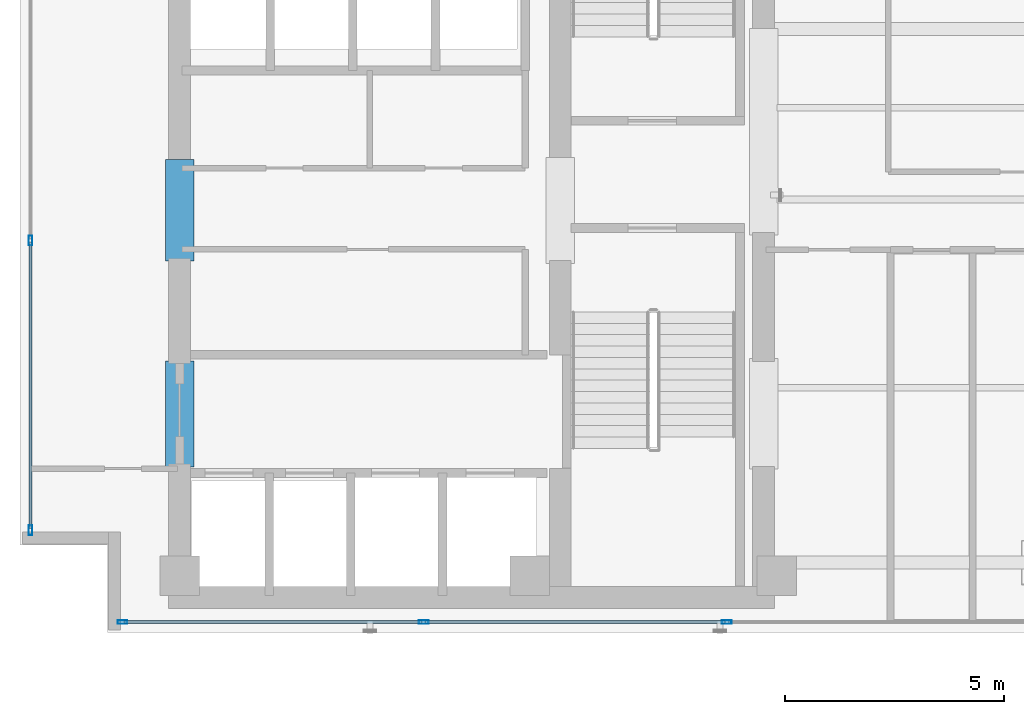
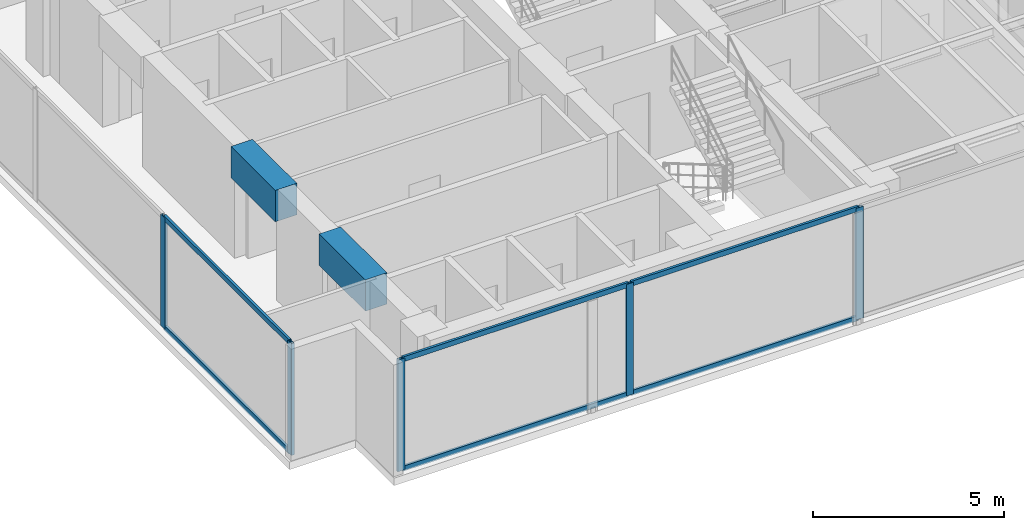
# One storey, part 2 of 22: 11 members, 2 beams, 2 elements without a shape of their own.
"""IFC4 building model written with IfcOpenShell, lengths in metres."""

from ifc_helpers import new_model, si_unit, direction, frame, origin, origin_with_axes, origin_2d, place, context, subcontext, project, spatial, rectangle, hollow_rectangle, extrude, source, transform, mapped, material, layer, layer_set, material_profile, profile_set, type_object, element, aggregate, save


model = new_model("IFC4")

# Units and contexts
model_context = context("Model", 3, precision=1e-05, world=origin(), true_north=direction((0.0, 1.0)))
body_context = subcontext(model_context, "Body", "Model", "MODEL_VIEW")
ifc_project = project(units=[si_unit("LENGTHUNIT", "METRE"), si_unit("AREAUNIT", "SQUARE_METRE"), si_unit("VOLUMEUNIT", "CUBIC_METRE"), si_unit("PLANEANGLEUNIT", "RADIAN"), si_unit("MASSUNIT", "GRAM", prefix="KILO")], contexts=[model_context])

# Site, building, storey
site_placement = place(None, origin())
site = spatial("IfcSite", under=ifc_project, at=site_placement, CompositionType="ELEMENT")
building_placement = place(site_placement, origin())
building = spatial("IfcBuilding", under=site, at=building_placement, Name="Kolvaren Waterfront Exchange", CompositionType="ELEMENT")
storey_placement = place(building_placement, frame((0.0, 0.0, 327.39990234375)))
storey = spatial("IfcBuildingStorey", under=building, at=storey_placement, Name="L84", CompositionType="ELEMENT", Elevation=327.39990234375)

# Beams
ifc_material_1 = material(Name="Concrete C60/75", Category="concrete")
ifc_material_profile_1 = material_profile(ifc_material_1, rectangle(XDim=0.64990234375, YDim=1.0, at=origin_2d()), Name="RC-CB-1000x650")
ifc_profile_set_1 = profile_set([ifc_material_profile_1], Name="Concrete C60/75")
beam_type = type_object("IfcBeamType", Name="STR-CB-1000", PredefinedType="SPANDREL", material=ifc_profile_set_1)
beam_1_placement = place(storey_placement, frame((7.449951171875, 7.389892578125, 3.06005859375), z_axis=(0.0, 1.0, 0.0), x_axis=(-1.0, 0.0, 0.0)))
element("IfcBeam", 1, at=beam_1_placement, inside=storey, type_object=beam_type, Name="L84 core coupling beam 3", PredefinedType="SPANDREL", context=body_context, shape_type="SweptSolid", body=[
    extrude(rectangle(XDim=0.64990234375, YDim=1.0, at=origin_2d()), origin(), (0.0, 0.0, 1.0), 2.420166015625),
])
beam_2_placement = place(storey_placement, frame((7.449951171875, 12.090087890625, 3.06005859375), z_axis=(0.0, 1.0, 0.0), x_axis=(-1.0, 0.0, 0.0)))
element("IfcBeam", 2, at=beam_2_placement, inside=storey, type_object=beam_type, Name="L84 core coupling beam 4", PredefinedType="SPANDREL", context=body_context, shape_type="SweptSolid", body=[
    extrude(rectangle(XDim=0.64990234375, YDim=1.0, at=origin_2d()), origin(), (0.0, 0.0, 1.0), 2.31982421875),
])

# Curtain wall, members
ifc_material_2 = material(Name="Anodised bronze aluminium 6063-T6", Category="aluminium")
ifc_layer_1 = layer(ifc_material_2, 0.219970703125, Name="Anodised bronze aluminium 6063-T6")
ifc_layer_set_1 = layer_set([ifc_layer_1], Name="Anodised bronze aluminium 6063-T6")
curtain_wall_type_1 = type_object("IfcCurtainWallType", Name="ARC-CW-SYS1", PredefinedType="USERDEFINED", material=ifc_layer_set_1)
curtain_wall_1_placement = place(storey_placement, origin())
curtain_wall_1 = element("IfcCurtainWall", 3, at=curtain_wall_1_placement, inside=storey, type_object=curtain_wall_type_1, Name="L84 stick curtain wall CW1 (CW-L84-S)", ObjectType="STICK CURTAIN WALL", PredefinedType="USERDEFINED")
ifc_material_3 = material(Name="Anodised aluminium 6063-T6", Category="aluminium")
ifc_material_profile_2 = material_profile(ifc_material_3, hollow_rectangle(XDim=0.080078125, YDim=0.219970703125, WallThickness=0.0048828125, at=origin_2d()), Name="ALU-MUL-220x80x5")
ifc_profile_set_2 = profile_set([ifc_material_profile_2], Name="Anodised aluminium 6063-T6")
member_type_1 = type_object("IfcMemberType", Name="ARC-CWM-220", PredefinedType="MULLION", material=ifc_profile_set_2)
shared_shape_1 = source(origin_with_axes(), body_context, "Body", "SweptSolid", [
    extrude(hollow_rectangle(XDim=0.080078125, YDim=0.219970703125, WallThickness=0.0048828125, at=origin_2d()), origin(), (0.0, 0.0, 1.0), 3.56005859375),
])
member_1_placement = place(storey_placement, frame((6.139892578125, 3.840087890625, 0.0), z_axis=(0.0, 0.0, 1.0), x_axis=(0.0, 1.0, 0.0)))
member_1 = element("IfcMember", 4, at=member_1_placement, type_object=member_type_1, Name="CW1 mullion 1", PredefinedType="MULLION", context=body_context, shape_type="MappedRepresentation", body=[
    mapped(shared_shape_1, transform((0.0, 0.0, 0.0), x_axis=(1.0, 0.0, 0.0), y_axis=(0.0, 1.0, 0.0), z_axis=(0.0, 0.0, 1.0), scale=1.0)),
])
member_2_placement = place(storey_placement, frame((13.029052734375, 3.840087890625, 0.0), z_axis=(0.0, 0.0, 1.0), x_axis=(0.0, 1.0, 0.0)))
member_2 = element("IfcMember", 5, at=member_2_placement, type_object=member_type_1, Name="CW1 mullion 2", PredefinedType="MULLION", context=body_context, shape_type="MappedRepresentation", body=[
    mapped(shared_shape_1, transform((0.0, 0.0, 0.0), x_axis=(1.0, 0.0, 0.0), y_axis=(0.0, 1.0, 0.0), z_axis=(0.0, 0.0, 1.0), scale=1.0)),
])
member_3_placement = place(storey_placement, frame((19.9580078125, 3.840087890625, 0.0), z_axis=(0.0, 0.0, 1.0), x_axis=(0.0, 1.0, 0.0)))
member_3 = element("IfcMember", 6, at=member_3_placement, type_object=member_type_1, Name="CW1 mullion 3", PredefinedType="MULLION", context=body_context, shape_type="MappedRepresentation", body=[
    mapped(shared_shape_1, transform((0.0, 0.0, 0.0), x_axis=(1.0, 0.0, 0.0), y_axis=(0.0, 1.0, 0.0), z_axis=(0.0, 0.0, 1.0), scale=1.0)),
])

ifc_layer_2 = layer(ifc_material_3, 0.219970703125, Name="Anodised aluminium 6063-T6")
ifc_layer_set_2 = layer_set([ifc_layer_2], Name="Anodised aluminium 6063-T6")
curtain_wall_type_2 = type_object("IfcCurtainWallType", Name="ARC-CW-SYS2", PredefinedType="USERDEFINED", material=ifc_layer_set_2)
curtain_wall_2_placement = place(storey_placement, origin())
curtain_wall_2 = element("IfcCurtainWall", 7, at=curtain_wall_2_placement, inside=storey, type_object=curtain_wall_type_2, Name="L84 stick curtain wall CW2 (CW-L84-W)", ObjectType="STICK CURTAIN WALL", PredefinedType="USERDEFINED")
member_4_placement = place(storey_placement, frame((4.0400390625, 5.93994140625, 0.0), z_axis=(0.0, 0.0, 1.0), x_axis=(-1.0, 0.0, 0.0)))
member_4 = element("IfcMember", 8, at=member_4_placement, type_object=member_type_1, Name="CW2 mullion 1", PredefinedType="MULLION", context=body_context, shape_type="MappedRepresentation", body=[
    mapped(shared_shape_1, transform((0.0, 0.0, 0.0), x_axis=(1.0, 0.0, 0.0), y_axis=(0.0, 1.0, 0.0), z_axis=(0.0, 0.0, 1.0), scale=1.0)),
])
member_5_placement = place(storey_placement, frame((4.0400390625, 12.562255859375, 0.0), z_axis=(0.0, 0.0, 1.0), x_axis=(-1.0, 0.0, 0.0)))
member_5 = element("IfcMember", 9, at=member_5_placement, type_object=member_type_1, Name="CW2 mullion 2", PredefinedType="MULLION", context=body_context, shape_type="MappedRepresentation", body=[
    mapped(shared_shape_1, transform((0.0, 0.0, 0.0), x_axis=(1.0, 0.0, 0.0), y_axis=(0.0, 1.0, 0.0), z_axis=(0.0, 0.0, 1.0), scale=1.0)),
])

# Member
ifc_material_profile_3 = material_profile(ifc_material_3, hollow_rectangle(XDim=0.074951171875, YDim=0.159912109375, WallThickness=0.00439453125, at=origin_2d()), Name="ALU-TRN-160x75x4.5")
ifc_profile_set_3 = profile_set([ifc_material_profile_3], Name="Anodised aluminium 6063-T6")
member_type_2 = type_object("IfcMemberType", Name="ARC-CWT-160", PredefinedType="USERDEFINED", material=ifc_profile_set_3)
shared_shape_2 = source(origin_with_axes(), body_context, "Body", "SweptSolid", [
    extrude(hollow_rectangle(XDim=0.074951171875, YDim=0.159912109375, WallThickness=0.00439453125, at=origin_2d()), origin(), (0.0, 0.0, 1.0), 6.80908203125),
])
member_6_placement = place(storey_placement, frame((6.179931640625, 3.840087890625, 0.03759765625), z_axis=(1.0, 0.0, 0.0), x_axis=(0.0, 1.0, 0.0)))
member_6 = element("IfcMember", 10, at=member_6_placement, type_object=member_type_2, Name="CW1 transom 1.1", ObjectType="TRANSOM", PredefinedType="USERDEFINED", context=body_context, shape_type="MappedRepresentation", body=[
    mapped(shared_shape_2, transform((0.0, 0.0, 0.0), x_axis=(1.0, 0.0, 0.0), y_axis=(0.0, 1.0, 0.0), z_axis=(0.0, 0.0, 1.0), scale=1.0)),
])

member_7_placement = place(storey_placement, frame((6.179931640625, 3.840087890625, 3.522705078125), z_axis=(1.0, 0.0, 0.0), x_axis=(0.0, 1.0, 0.0)))
member_7 = element("IfcMember", 11, at=member_7_placement, type_object=member_type_2, Name="CW1 transom 1.2", ObjectType="TRANSOM", PredefinedType="USERDEFINED", context=body_context, shape_type="MappedRepresentation", body=[
    mapped(shared_shape_2, transform((0.0, 0.0, 0.0), x_axis=(1.0, 0.0, 0.0), y_axis=(0.0, 1.0, 0.0), z_axis=(0.0, 0.0, 1.0), scale=1.0)),
])

shared_shape_3 = source(origin_with_axes(), body_context, "Body", "SweptSolid", [
    extrude(hollow_rectangle(XDim=0.074951171875, YDim=0.159912109375, WallThickness=0.00439453125, at=origin_2d()), origin(), (0.0, 0.0, 1.0), 6.84912109375),
])
member_8_placement = place(storey_placement, frame((13.06884765625, 3.840087890625, 0.03759765625), z_axis=(1.0, 0.0, 0.0), x_axis=(0.0, 1.0, 0.0)))
member_8 = element("IfcMember", 12, at=member_8_placement, type_object=member_type_2, Name="CW1 transom 2.1", ObjectType="TRANSOM", PredefinedType="USERDEFINED", context=body_context, shape_type="MappedRepresentation", body=[
    mapped(shared_shape_3, transform((0.0, 0.0, 0.0), x_axis=(1.0, 0.0, 0.0), y_axis=(0.0, 1.0, 0.0), z_axis=(0.0, 0.0, 1.0), scale=1.0)),
])

member_9_placement = place(storey_placement, frame((13.06884765625, 3.840087890625, 3.522705078125), z_axis=(1.0, 0.0, 0.0), x_axis=(0.0, 1.0, 0.0)))
member_9 = element("IfcMember", 13, at=member_9_placement, type_object=member_type_2, Name="CW1 transom 2.2", ObjectType="TRANSOM", PredefinedType="USERDEFINED", context=body_context, shape_type="MappedRepresentation", body=[
    mapped(shared_shape_3, transform((0.0, 0.0, 0.0), x_axis=(1.0, 0.0, 0.0), y_axis=(0.0, 1.0, 0.0), z_axis=(0.0, 0.0, 1.0), scale=1.0)),
])

aggregate(curtain_wall_1, [member_1, member_2, member_3, member_6, member_7, member_8, member_9])

shared_shape_4 = source(origin_with_axes(), body_context, "Body", "SweptSolid", [
    extrude(hollow_rectangle(XDim=0.074951171875, YDim=0.159912109375, WallThickness=0.00439453125, at=origin_2d()), origin(), (0.0, 0.0, 1.0), 6.542236328125),
])
member_10_placement = place(storey_placement, frame((4.0400390625, 5.97998046875, 0.03759765625), z_axis=(0.0, 1.0, 0.0), x_axis=(-1.0, 0.0, 0.0)))
member_10 = element("IfcMember", 14, at=member_10_placement, type_object=member_type_2, Name="CW2 transom 1.1", ObjectType="TRANSOM", PredefinedType="USERDEFINED", context=body_context, shape_type="MappedRepresentation", body=[
    mapped(shared_shape_4, transform((0.0, 0.0, 0.0), x_axis=(1.0, 0.0, 0.0), y_axis=(0.0, 1.0, 0.0), z_axis=(0.0, 0.0, 1.0), scale=1.0)),
])

member_11_placement = place(storey_placement, frame((4.0400390625, 5.97998046875, 3.522705078125), z_axis=(0.0, 1.0, 0.0), x_axis=(-1.0, 0.0, 0.0)))
member_11 = element("IfcMember", 15, at=member_11_placement, type_object=member_type_2, Name="CW2 transom 1.2", ObjectType="TRANSOM", PredefinedType="USERDEFINED", context=body_context, shape_type="MappedRepresentation", body=[
    mapped(shared_shape_4, transform((0.0, 0.0, 0.0), x_axis=(1.0, 0.0, 0.0), y_axis=(0.0, 1.0, 0.0), z_axis=(0.0, 0.0, 1.0), scale=1.0)),
])

aggregate(curtain_wall_2, [member_4, member_5, member_10, member_11])

save(model, "model.ifc")
